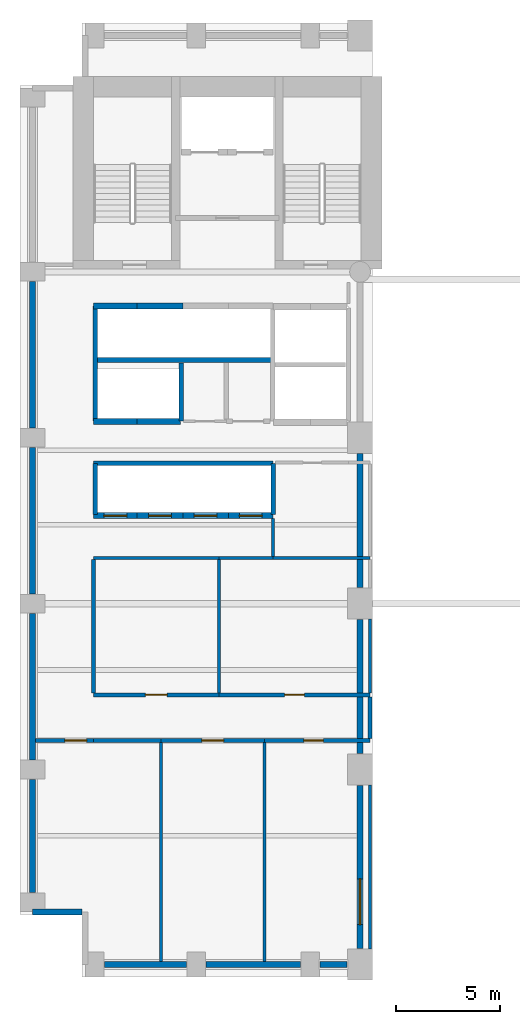
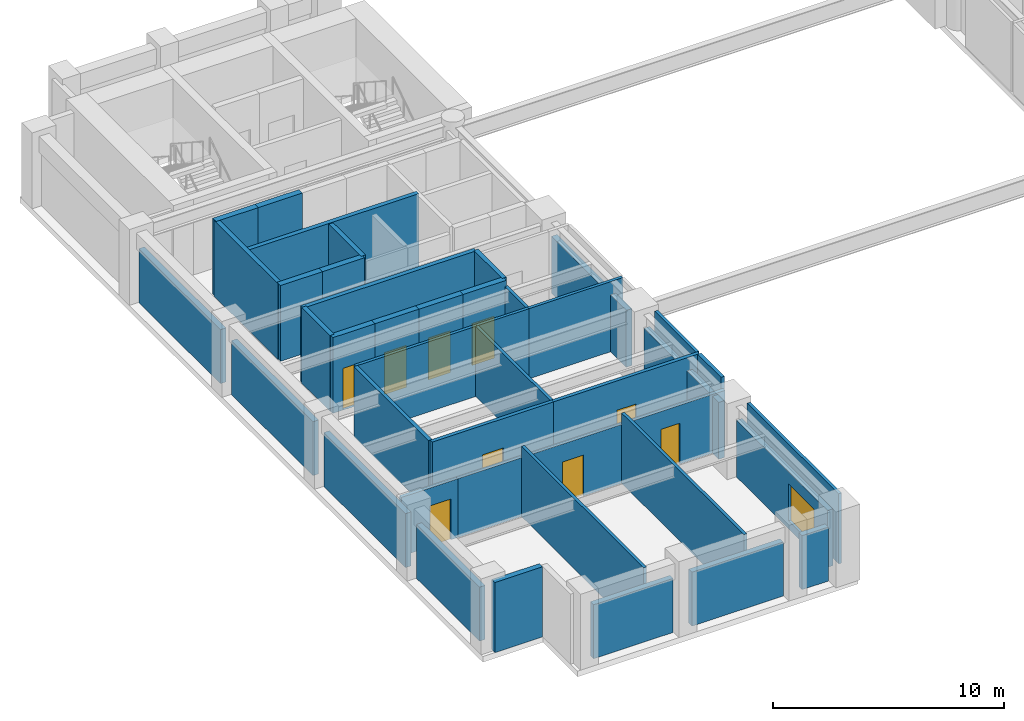
# One storey, part 2 of 7: 42 walls, 9 doors, 1 window, 10 openings.
"""IFC4 building model written with IfcOpenShell, lengths in metres."""

from ifc_helpers import new_model, si_unit, direction, frame, frame_2d, origin, place, context, subcontext, project, spatial, rectangle, extrude, material, layer, layer_set, type_object, element, fill, save


model = new_model("IFC4")

# Units and contexts
model_context = context("Model", 3, precision=1e-05, world=origin(), true_north=direction((0.0, 1.0)))
body_context = subcontext(model_context, "Body", "Model", "MODEL_VIEW")
ifc_project = project(units=[si_unit("LENGTHUNIT", "METRE"), si_unit("AREAUNIT", "SQUARE_METRE"), si_unit("VOLUMEUNIT", "CUBIC_METRE"), si_unit("PLANEANGLEUNIT", "RADIAN"), si_unit("MASSUNIT", "GRAM", prefix="KILO")], contexts=[model_context])

# Site, building, storey
site_placement = place(None, origin())
site = spatial("IfcSite", under=ifc_project, at=site_placement, CompositionType="ELEMENT")
building_placement = place(site_placement, origin())
building = spatial("IfcBuilding", under=site, at=building_placement, Name="Sulina Concourse Tower", CompositionType="ELEMENT")
storey_placement = place(building_placement, frame((0.0, 0.0, 34.60009765625)))
storey = spatial("IfcBuildingStorey", under=building, at=storey_placement, Name="L08", CompositionType="ELEMENT", Elevation=34.60009765625)

# Walls
ifc_material_1 = material(Name="Concrete C50/60", Category="concrete")
ifc_layer_1 = layer(ifc_material_1, 0.219970703125)
ifc_layer_set_1 = layer_set([ifc_layer_1], Name="Concrete C50/60")
wall_type_1 = type_object("IfcWallType", Name="Core Lift Hoistway Divider Wall 220mm", PredefinedType="SOLIDWALL", material=ifc_layer_set_1)
wall_1_placement = place(storey_placement, frame((3.550048828125, 29.75, 0.0), z_axis=(0.0, 0.0, 1.0), x_axis=(1.0, 0.0, 0.0)))
element("IfcWall", 1, at=wall_1_placement, inside=storey, type_object=wall_type_1, Name="L08 shaft divider wall HW-LP3-S", PredefinedType="SOLIDWALL", context=body_context, shape_type="SweptSolid", body=[
    extrude(rectangle(XDim=8.64990234375, YDim=0.219970703125, at=frame_2d((4.324951171875, 0.0))), origin(), (0.0, 0.0, 1.0), 4.0),
])
wall_2_placement = place(storey_placement, frame((3.6298828125, 26.800048828125, 0.0), z_axis=(0.0, 0.0, 1.0), x_axis=(0.0, 1.0, 0.0)))
element("IfcWall", 2, at=wall_2_placement, inside=storey, type_object=wall_type_1, Name="L08 shaft divider wall HW-LP3-W", PredefinedType="SOLIDWALL", context=body_context, shape_type="SweptSolid", body=[
    extrude(rectangle(XDim=5.550048828125, YDim=0.219970703125, at=frame_2d((2.77490234375, 0.0))), origin(), (0.0, 0.0, 1.0), 4.0),
])
wall_3_placement = place(storey_placement, frame((7.780029296875, 26.800048828125, 0.0), z_axis=(0.0, 0.0, 1.0), x_axis=(0.0, 1.0, 0.0)))
element("IfcWall", 3, at=wall_3_placement, inside=storey, type_object=wall_type_1, Name="L08 shaft divider wall HW-EXP-E", PredefinedType="SOLIDWALL", context=body_context, shape_type="SweptSolid", body=[
    extrude(rectangle(XDim=2.800048828125, YDim=0.219970703125, at=frame_2d((1.39990234375, 0.0))), origin(), (0.0, 0.0, 1.0), 4.0),
])
wall_4_placement = place(storey_placement, frame((3.550048828125, 24.780029296875, 0.0), z_axis=(0.0, 0.0, 1.0), x_axis=(1.0, 0.0, 0.0)))
element("IfcWall", 4, at=wall_4_placement, inside=storey, type_object=wall_type_1, Name="L08 shaft divider wall HW-LP1-N", PredefinedType="SOLIDWALL", context=body_context, shape_type="SweptSolid", body=[
    extrude(rectangle(XDim=8.64990234375, YDim=0.219970703125, at=frame_2d((4.324951171875, 0.0))), origin(), (0.0, 0.0, 1.0), 4.0),
])
for number, where, z_axis, x_axis, name in (
    (5, (3.6298828125, 22.300048828125, 0.0), (0.0, 0.0, 1.0), (0.0, 1.0, 0.0), "L08 shaft divider wall HW-LP1-W"),
    (6, (12.219970703125, 22.300048828125, 0.0), (0.0, 0.0, 1.0), (0.0, 1.0, 0.0), "L08 shaft divider wall HW-LP1-E"),
):
    element("IfcWall", number, at=place(storey_placement, frame(where, z_axis=z_axis, x_axis=x_axis)), inside=storey, type_object=wall_type_1, Name=name, PredefinedType="SOLIDWALL", context=body_context, shape_type="SweptSolid", body=[
        extrude(rectangle(XDim=2.449951171875, YDim=0.219970703125, at=frame_2d((1.22509765625, 0.0))), origin(), (0.0, 0.0, 1.0), 4.0),
    ])

# Wall, opening, door
ifc_material_2 = material(Name="Concrete C50/60", Category="concrete")
ifc_layer_2 = layer(ifc_material_2, 0.300048828125)
ifc_layer_set_2 = layer_set([ifc_layer_2], Name="Concrete C50/60")
wall_type_2 = type_object("IfcWallType", Name="Core Lift Hoistway Wall 300mm", PredefinedType="SOLIDWALL", material=ifc_layer_set_2)
wall_5_placement = place(storey_placement, frame((5.64990234375, 22.25, 0.0), z_axis=(0.0, 0.0, 1.0), x_axis=(-1.0, 0.0, 0.0)))
wall_5 = element("IfcWall", 7, at=wall_5_placement, inside=storey, type_object=wall_type_2, Name="L08 hoistway enclosure wall LP-01", PredefinedType="SOLIDWALL", context=body_context, shape_type="SweptSolid", body=[
    extrude(rectangle(XDim=2.099853515625, YDim=0.300048828125, at=frame_2d((1.0498046875, 0.0))), origin(), (0.0, 0.0, 1.0), 4.0),
])
opening_1_placement = place(wall_5_placement, frame((0.5, 0.0, 0.0)))
opening_1 = element("IfcOpeningElement", 8, at=opening_1_placement, cuts=wall_5, Name="Opening LD-01", PredefinedType="OPENING", context=body_context, shape_type="SweptSolid", body=[
    extrude(rectangle(XDim=1.10009765625, YDim=2.199951171875, at=frame_2d((0.550048828125, 1.10009765625))), frame((0.0, 0.159912109375, 0.0), z_axis=(0.0, -1.0, 0.0), x_axis=(1.0, 0.0, 0.0)), (0.0, 0.0, 1.0), 0.320068359375),
])
ifc_material_3 = material(Name="Stainless steel lift landing door", Category="steel")
ifc_layer_3 = layer(ifc_material_3, 0.050048828125)
ifc_layer_set_3 = layer_set([ifc_layer_3], Name="Stainless steel lift landing door")
door_type_1 = type_object("IfcDoorType", Name="Passenger Lift Sliding Landing Door 1100x2200", OperationType="SLIDING_TO_LEFT", PredefinedType="DOOR", material=ifc_layer_set_3)
door_1_placement = place(opening_1_placement, origin())
door_1 = element("IfcDoor", 9, at=door_1_placement, inside=storey, type_object=door_type_1, Name="L08 lift landing sliding door LP-01", OperationType="SLIDING_TO_LEFT", OverallHeight=2.199951171875, OverallWidth=1.10009765625, PredefinedType="DOOR", context=body_context, shape_type="SweptSolid", body=[
    extrude(rectangle(XDim=1.10009765625, YDim=2.199951171875, at=frame_2d((0.550048828125, 1.10009765625))), frame((0.0, 0.02490234375, 0.0), z_axis=(0.0, -1.0, 0.0), x_axis=(1.0, 0.0, 0.0)), (0.0, 0.0, 1.0), 0.050048828125),
])
fill(opening_1, door_1)

wall_6_placement = place(storey_placement, frame((7.85009765625, 22.25, 0.0), z_axis=(0.0, 0.0, 1.0), x_axis=(-1.0, 0.0, 0.0)))
wall_6 = element("IfcWall", 10, at=wall_6_placement, inside=storey, type_object=wall_type_2, Name="L08 hoistway enclosure wall LP-02", PredefinedType="SOLIDWALL", context=body_context, shape_type="SweptSolid", body=[
    extrude(rectangle(XDim=2.2001953125, YDim=0.300048828125, at=frame_2d((1.10009765625, 0.0))), origin(), (0.0, 0.0, 1.0), 4.0),
])
opening_2_placement = place(wall_6_placement, frame((0.550048828125, 0.0, 0.0)))
opening_2 = element("IfcOpeningElement", 11, at=opening_2_placement, cuts=wall_6, Name="Opening LD-01", PredefinedType="OPENING", context=body_context, shape_type="SweptSolid", body=[
    extrude(rectangle(XDim=1.10009765625, YDim=2.199951171875, at=frame_2d((0.550048828125, 1.10009765625))), frame((0.0, 0.159912109375, 0.0), z_axis=(0.0, -1.0, 0.0), x_axis=(1.0, 0.0, 0.0)), (0.0, 0.0, 1.0), 0.320068359375),
])
door_2_placement = place(opening_2_placement, origin())
door_2 = element("IfcDoor", 12, at=door_2_placement, inside=storey, type_object=door_type_1, Name="L08 lift landing sliding door LP-02", OperationType="SLIDING_TO_RIGHT", OverallHeight=2.199951171875, OverallWidth=1.10009765625, PredefinedType="DOOR", context=body_context, shape_type="SweptSolid", body=[
    extrude(rectangle(XDim=1.10009765625, YDim=2.199951171875, at=frame_2d((0.550048828125, 1.10009765625))), frame((0.0, 0.02490234375, 0.0), z_axis=(0.0, -1.0, 0.0), x_axis=(1.0, 0.0, 0.0)), (0.0, 0.0, 1.0), 0.050048828125),
])
fill(opening_2, door_2)

wall_7_placement = place(storey_placement, frame((10.050048828125, 22.25, 0.0), z_axis=(0.0, 0.0, 1.0), x_axis=(-1.0, 0.0, 0.0)))
wall_7 = element("IfcWall", 13, at=wall_7_placement, inside=storey, type_object=wall_type_2, Name="L08 hoistway enclosure wall LP-03", PredefinedType="SOLIDWALL", context=body_context, shape_type="SweptSolid", body=[
    extrude(rectangle(XDim=2.199951171875, YDim=0.300048828125, at=frame_2d((1.10009765625, 0.0))), origin(), (0.0, 0.0, 1.0), 4.0),
])
opening_3_placement = place(wall_7_placement, frame((0.550048828125, 0.0, 0.0)))
opening_3 = element("IfcOpeningElement", 14, at=opening_3_placement, cuts=wall_7, Name="Opening LD-01", PredefinedType="OPENING", context=body_context, shape_type="SweptSolid", body=[
    extrude(rectangle(XDim=1.10009765625, YDim=2.199951171875, at=frame_2d((0.550048828125, 1.10009765625))), frame((0.0, 0.159912109375, 0.0), z_axis=(0.0, -1.0, 0.0), x_axis=(1.0, 0.0, 0.0)), (0.0, 0.0, 1.0), 0.320068359375),
])
door_3_placement = place(opening_3_placement, origin())
door_3 = element("IfcDoor", 15, at=door_3_placement, inside=storey, type_object=door_type_1, Name="L08 lift landing sliding door LP-03", OperationType="SLIDING_TO_LEFT", OverallHeight=2.199951171875, OverallWidth=1.10009765625, PredefinedType="DOOR", context=body_context, shape_type="SweptSolid", body=[
    extrude(rectangle(XDim=1.10009765625, YDim=2.199951171875, at=frame_2d((0.550048828125, 1.10009765625))), frame((0.0, 0.02490234375, 0.0), z_axis=(0.0, -1.0, 0.0), x_axis=(1.0, 0.0, 0.0)), (0.0, 0.0, 1.0), 0.050048828125),
])
fill(opening_3, door_3)

wall_8_placement = place(storey_placement, frame((12.199951171875, 22.25, 0.0), z_axis=(0.0, 0.0, 1.0), x_axis=(-1.0, 0.0, 0.0)))
wall_8 = element("IfcWall", 16, at=wall_8_placement, inside=storey, type_object=wall_type_2, Name="L08 hoistway enclosure wall LP-04", PredefinedType="SOLIDWALL", context=body_context, shape_type="SweptSolid", body=[
    extrude(rectangle(XDim=2.14990234375, YDim=0.300048828125, at=frame_2d((1.074951171875, 0.0))), origin(), (0.0, 0.0, 1.0), 4.0),
])
opening_4_placement = place(wall_8_placement, frame((0.52490234375, 0.0, 0.0)))
opening_4 = element("IfcOpeningElement", 17, at=opening_4_placement, cuts=wall_8, Name="Opening LD-01", PredefinedType="OPENING", context=body_context, shape_type="SweptSolid", body=[
    extrude(rectangle(XDim=1.10009765625, YDim=2.199951171875, at=frame_2d((0.550048828125, 1.10009765625))), frame((0.0, 0.159912109375, 0.0), z_axis=(0.0, -1.0, 0.0), x_axis=(1.0, 0.0, 0.0)), (0.0, 0.0, 1.0), 0.320068359375),
])
door_4_placement = place(opening_4_placement, origin())
door_4 = element("IfcDoor", 18, at=door_4_placement, inside=storey, type_object=door_type_1, Name="L08 lift landing sliding door LP-04", OperationType="SLIDING_TO_RIGHT", OverallHeight=2.199951171875, OverallWidth=1.10009765625, PredefinedType="DOOR", context=body_context, shape_type="SweptSolid", body=[
    extrude(rectangle(XDim=1.10009765625, YDim=2.199951171875, at=frame_2d((0.550048828125, 1.10009765625))), frame((0.0, 0.02490234375, 0.0), z_axis=(0.0, -1.0, 0.0), x_axis=(1.0, 0.0, 0.0)), (0.0, 0.0, 1.0), 0.050048828125),
])
fill(opening_4, door_4)

# Walls
wall_9_placement = place(storey_placement, frame((3.550048828125, 32.35009765625, 0.0), z_axis=(0.0, 0.0, 1.0), x_axis=(1.0, 0.0, 0.0)))
element("IfcWall", 19, at=wall_9_placement, inside=storey, type_object=wall_type_2, Name="L08 hoistway enclosure wall LP-09", PredefinedType="SOLIDWALL", context=body_context, shape_type="SweptSolid", body=[
    extrude(rectangle(XDim=2.099853515625, YDim=0.300048828125, at=frame_2d((1.0498046875, 0.0))), origin(), (0.0, 0.0, 1.0), 4.0),
])
wall_10_placement = place(storey_placement, frame((5.64990234375, 32.35009765625, 0.0), z_axis=(0.0, 0.0, 1.0), x_axis=(1.0, 0.0, 0.0)))
element("IfcWall", 20, at=wall_10_placement, inside=storey, type_object=wall_type_2, Name="L08 hoistway enclosure wall LP-10", PredefinedType="SOLIDWALL", context=body_context, shape_type="SweptSolid", body=[
    extrude(rectangle(XDim=2.2001953125, YDim=0.300048828125, at=frame_2d((1.10009765625, 0.0))), origin(), (0.0, 0.0, 1.0), 4.0),
])
wall_11_placement = place(storey_placement, frame((5.64990234375, 26.780029296875, 0.0), z_axis=(0.0, 0.0, 1.0), x_axis=(-1.0, 0.0, 0.0)))
element("IfcWall", 21, at=wall_11_placement, inside=storey, type_object=wall_type_2, Name="L08 hoistway enclosure wall EXP-1", PredefinedType="SOLIDWALL", context=body_context, shape_type="SweptSolid", body=[
    extrude(rectangle(XDim=2.099853515625, YDim=0.300048828125, at=frame_2d((1.0498046875, 0.0))), origin(), (0.0, 0.0, 1.0), 4.0),
])
wall_12_placement = place(storey_placement, frame((7.75, 26.780029296875, 0.0), z_axis=(0.0, 0.0, 1.0), x_axis=(-1.0, 0.0, 0.0)))
element("IfcWall", 22, at=wall_12_placement, inside=storey, type_object=wall_type_2, Name="L08 hoistway enclosure wall EXP-2", PredefinedType="SOLIDWALL", context=body_context, shape_type="SweptSolid", body=[
    extrude(rectangle(XDim=2.10009765625, YDim=0.300048828125, at=frame_2d((1.050048828125, 0.0))), origin(), (0.0, 0.0, 1.0), 4.0),
])
ifc_material_4 = material(Name="Gypsum board on steel stud", Category="steel")
ifc_layer_4 = layer(ifc_material_4, 0.14990234375)
ifc_layer_set_4 = layer_set([ifc_layer_4], Name="Gypsum board on steel stud")
wall_type_3 = type_object("IfcWallType", Name="Inter-Tenancy Acoustic Partition 150mm", PredefinedType="PARTITIONING", material=ifc_layer_set_4)
wall_13_placement = place(storey_placement, frame((3.550048828125, 20.199951171875, 0.0), z_axis=(0.0, 0.0, 1.0), x_axis=(1.0, 0.0, 0.0)))
element("IfcWall", 23, at=wall_13_placement, inside=storey, type_object=wall_type_3, Name="L08 interior partition 012", PredefinedType="PARTITIONING", context=body_context, shape_type="SweptSolid", body=[
    extrude(rectangle(XDim=6.050048828125, YDim=0.14990234375, at=frame_2d((3.02490234375, 0.0))), origin(), (0.0, 0.0, 1.0), 3.699951171875),
])
wall_14_placement = place(storey_placement, frame((9.60009765625, 20.199951171875, 0.0), z_axis=(0.0, 0.0, 1.0), x_axis=(1.0, 0.0, 0.0)))
element("IfcWall", 24, at=wall_14_placement, inside=storey, type_object=wall_type_3, Name="L08 interior partition 013", PredefinedType="PARTITIONING", context=body_context, shape_type="SweptSolid", body=[
    extrude(rectangle(XDim=2.599853515625, YDim=0.14990234375, at=frame_2d((1.2998046875, 0.0))), origin(), (0.0, 0.0, 1.0), 3.699951171875),
])
wall_15_placement = place(storey_placement, frame((12.199951171875, 20.199951171875, 0.0), z_axis=(0.0, 0.0, 1.0), x_axis=(1.0, 0.0, 0.0)))
element("IfcWall", 25, at=wall_15_placement, inside=storey, type_object=wall_type_3, Name="L08 interior partition 014", PredefinedType="PARTITIONING", context=body_context, shape_type="SweptSolid", body=[
    extrude(rectangle(XDim=4.679931640625, YDim=0.14990234375, at=frame_2d((2.33984375, 0.0))), origin(), (0.0, 0.0, 1.0), 3.699951171875),
])
wall_16_placement = place(storey_placement, frame((6.800048828125, 0.739990234375, 0.0), z_axis=(0.0, 0.0, 1.0), x_axis=(0.0, 1.0, 0.0)))
element("IfcWall", 26, at=wall_16_placement, inside=storey, type_object=wall_type_3, Name="L08 interior partition 030", PredefinedType="PARTITIONING", context=body_context, shape_type="SweptSolid", body=[
    extrude(rectangle(XDim=10.570068359375, YDim=0.14990234375, at=frame_2d((5.28515625, 0.0))), origin(), (0.0, 0.0, 1.0), 3.699951171875),
])
wall_17_placement = place(storey_placement, frame((9.60009765625, 13.68994140625, 0.0), z_axis=(0.0, 0.0, 1.0), x_axis=(0.0, 1.0, 0.0)))
element("IfcWall", 27, at=wall_17_placement, inside=storey, type_object=wall_type_3, Name="L08 interior partition 031", PredefinedType="PARTITIONING", context=body_context, shape_type="SweptSolid", body=[
    extrude(rectangle(XDim=6.43505859375, YDim=0.14990234375, at=frame_2d((3.217529296875, 0.0))), origin(), (0.0, 0.0, 1.0), 3.699951171875),
])
wall_18_placement = place(storey_placement, frame((11.800048828125, 0.739990234375, 0.0), z_axis=(0.0, 0.0, 1.0), x_axis=(0.0, 1.0, 0.0)))
element("IfcWall", 28, at=wall_18_placement, inside=storey, type_object=wall_type_3, Name="L08 interior partition 033", PredefinedType="PARTITIONING", context=body_context, shape_type="SweptSolid", body=[
    extrude(rectangle(XDim=10.570068359375, YDim=0.14990234375, at=frame_2d((5.28515625, 0.0))), origin(), (0.0, 0.0, 1.0), 3.699951171875),
])
wall_19_placement = place(storey_placement, frame((12.199951171875, 20.27490234375, 0.0), z_axis=(0.0, 0.0, 1.0), x_axis=(0.0, 1.0, 0.0)))
element("IfcWall", 29, at=wall_19_placement, inside=storey, type_object=wall_type_3, Name="L08 interior partition 034", PredefinedType="PARTITIONING", context=body_context, shape_type="SweptSolid", body=[
    extrude(rectangle(XDim=1.8251953125, YDim=0.14990234375, at=frame_2d((0.91259765625, 0.0))), origin(), (0.0, 0.0, 1.0), 3.699951171875),
])
wall_20_placement = place(storey_placement, frame((16.8798828125, 1.35009765625, 0.0), z_axis=(0.0, 0.0, 1.0), x_axis=(0.0, 1.0, 0.0)))
element("IfcWall", 30, at=wall_20_placement, inside=storey, type_object=wall_type_3, Name="L08 interior partition 036", PredefinedType="PARTITIONING", context=body_context, shape_type="SweptSolid", body=[
    extrude(rectangle(XDim=7.89990234375, YDim=0.14990234375, at=frame_2d((3.949951171875, 0.0))), origin(), (0.0, 0.0, 1.0), 3.699951171875),
])
wall_21_placement = place(storey_placement, frame((16.8798828125, 13.68994140625, 0.0), z_axis=(0.0, 0.0, 1.0), x_axis=(0.0, 1.0, 0.0)))
element("IfcWall", 31, at=wall_21_placement, inside=storey, type_object=wall_type_3, Name="L08 interior partition 038", PredefinedType="PARTITIONING", context=body_context, shape_type="SweptSolid", body=[
    extrude(rectangle(XDim=3.56005859375, YDim=0.14990234375, at=frame_2d((1.780029296875, 0.0))), origin(), (0.0, 0.0, 1.0), 3.699951171875),
])

# Wall, opening, door
ifc_material_5 = material(Name="Gypsum board on steel stud", Category="steel")
ifc_layer_5 = layer(ifc_material_5, 0.179931640625)
ifc_layer_set_5 = layer_set([ifc_layer_5], Name="Gypsum board on steel stud")
wall_type_4 = type_object("IfcWallType", Name="Protected Corridor & Riser Partition 180mm", PredefinedType="PARTITIONING", material=ifc_layer_set_5)
wall_22_placement = place(storey_placement, frame((0.739990234375, 11.39990234375, 0.0), z_axis=(0.0, 0.0, 1.0), x_axis=(1.0, 0.0, 0.0)))
wall_22 = element("IfcWall", 32, at=wall_22_placement, inside=storey, type_object=wall_type_4, Name="L08 interior partition 004", PredefinedType="PARTITIONING", context=body_context, shape_type="SweptSolid", body=[
    extrude(rectangle(XDim=2.81005859375, YDim=0.179931640625, at=frame_2d((1.405029296875, 0.0))), origin(), (0.0, 0.0, 1.0), 3.094970703125),
])
opening_5_placement = place(wall_22_placement, frame((1.419921875, 0.0, 0.0)))
opening_5 = element("IfcOpeningElement", 33, at=opening_5_placement, cuts=wall_22, Name="Opening DR-37", PredefinedType="OPENING", context=body_context, shape_type="SweptSolid", body=[
    extrude(rectangle(XDim=1.050048828125, YDim=2.14990234375, at=frame_2d((0.52490234375, 1.074951171875))), frame((0.0, 0.099853515625, 0.0), z_axis=(0.0, -1.0, 0.0), x_axis=(1.0, 0.0, 0.0)), (0.0, 0.0, 1.0), 0.199951171875),
])
ifc_material_6 = material(Name="Oak-veneered fire door leaf")
ifc_layer_6 = layer(ifc_material_6, 0.050048828125)
ifc_layer_set_6 = layer_set([ifc_layer_6], Name="Oak-veneered fire door leaf")
door_type_2 = type_object("IfcDoorType", Name="Tenant Suite Entrance Fire Door 1050x2150", OperationType="NOTDEFINED", PredefinedType="DOOR", material=ifc_layer_set_6)
door_5_placement = place(opening_5_placement, origin())
door_5 = element("IfcDoor", 34, at=door_5_placement, inside=storey, type_object=door_type_2, Name="L08 interior door L08-STD-W1", OperationType="SINGLE_SWING_RIGHT", OverallHeight=2.14990234375, OverallWidth=1.050048828125, PredefinedType="DOOR", context=body_context, shape_type="SweptSolid", body=[
    extrude(rectangle(XDim=1.050048828125, YDim=2.14990234375, at=frame_2d((0.52490234375, 1.074951171875))), frame((0.0, 0.02490234375, 0.0), z_axis=(0.0, -1.0, 0.0), x_axis=(1.0, 0.0, 0.0)), (0.0, 0.0, 1.0), 0.050048828125),
])
fill(opening_5, door_5)

# Wall
wall_23_placement = place(storey_placement, frame((3.550048828125, 11.39990234375, 0.0), z_axis=(0.0, 0.0, 1.0), x_axis=(1.0, 0.0, 0.0)))
element("IfcWall", 35, at=wall_23_placement, inside=storey, type_object=wall_type_4, Name="L08 interior partition 005", PredefinedType="PARTITIONING", context=body_context, shape_type="SweptSolid", body=[
    extrude(rectangle(XDim=3.25, YDim=0.179931640625, at=frame_2d((1.625, 0.0))), origin(), (0.0, 0.0, 1.0), 3.094970703125),
])

# Wall, opening, door
wall_24_placement = place(storey_placement, frame((6.800048828125, 11.39990234375, 0.0), z_axis=(0.0, 0.0, 1.0), x_axis=(1.0, 0.0, 0.0)))
wall_24 = element("IfcWall", 36, at=wall_24_placement, inside=storey, type_object=wall_type_4, Name="L08 interior partition 006", PredefinedType="PARTITIONING", context=body_context, shape_type="SweptSolid", body=[
    extrude(rectangle(XDim=5.0, YDim=0.179931640625, at=frame_2d((2.5, 0.0))), origin(), (0.0, 0.0, 1.0), 3.094970703125),
])
opening_6_placement = place(wall_24_placement, frame((1.97509765625, 0.0, 0.0)))
opening_6 = element("IfcOpeningElement", 37, at=opening_6_placement, cuts=wall_24, Name="Opening DR-37", PredefinedType="OPENING", context=body_context, shape_type="SweptSolid", body=[
    extrude(rectangle(XDim=1.050048828125, YDim=2.14990234375, at=frame_2d((0.52490234375, 1.074951171875))), frame((0.0, 0.099853515625, 0.0), z_axis=(0.0, -1.0, 0.0), x_axis=(1.0, 0.0, 0.0)), (0.0, 0.0, 1.0), 0.199951171875),
])
door_6_placement = place(opening_6_placement, origin())
door_6 = element("IfcDoor", 38, at=door_6_placement, inside=storey, type_object=door_type_2, Name="L08 interior door L08-CAF-W1", OperationType="SINGLE_SWING_LEFT", OverallHeight=2.14990234375, OverallWidth=1.050048828125, PredefinedType="DOOR", context=body_context, shape_type="SweptSolid", body=[
    extrude(rectangle(XDim=1.050048828125, YDim=2.14990234375, at=frame_2d((0.52490234375, 1.074951171875))), frame((0.0, 0.02490234375, 0.0), z_axis=(0.0, -1.0, 0.0), x_axis=(1.0, 0.0, 0.0)), (0.0, 0.0, 1.0), 0.050048828125),
])
fill(opening_6, door_6)

wall_25_placement = place(storey_placement, frame((11.800048828125, 11.39990234375, 0.0), z_axis=(0.0, 0.0, 1.0), x_axis=(1.0, 0.0, 0.0)))
wall_25 = element("IfcWall", 39, at=wall_25_placement, inside=storey, type_object=wall_type_4, Name="L08 interior partition 007", PredefinedType="PARTITIONING", context=body_context, shape_type="SweptSolid", body=[
    extrude(rectangle(XDim=5.079833984375, YDim=0.179931640625, at=frame_2d((2.5400390625, 0.0))), origin(), (0.0, 0.0, 1.0), 3.094970703125),
])
opening_7_placement = place(wall_25_placement, frame((1.885009765625, 0.0, 0.0)))
opening_7 = element("IfcOpeningElement", 40, at=opening_7_placement, cuts=wall_25, Name="Opening DR-19", PredefinedType="OPENING", context=body_context, shape_type="SweptSolid", body=[
    extrude(rectangle(XDim=0.949951171875, YDim=2.14990234375, at=frame_2d((0.47509765625, 1.074951171875))), frame((0.0, 0.099853515625, 0.0), z_axis=(0.0, -1.0, 0.0), x_axis=(1.0, 0.0, 0.0)), (0.0, 0.0, 1.0), 0.199951171875),
])
ifc_material_7 = material(Name="Oak-veneered acoustic timber leaf", Category="wood")
ifc_layer_7 = layer(ifc_material_7, 0.050048828125)
ifc_layer_set_7 = layer_set([ifc_layer_7], Name="Oak-veneered acoustic timber leaf")
door_type_3 = type_object("IfcDoorType", Name="Cellular Office & Meeting Door 950x2150", OperationType="NOTDEFINED", PredefinedType="DOOR", material=ifc_layer_set_7)
door_7_placement = place(opening_7_placement, origin())
door_7 = element("IfcDoor", 41, at=door_7_placement, inside=storey, type_object=door_type_3, Name="L08 interior door L08-SEM-W1", OperationType="SINGLE_SWING_RIGHT", OverallHeight=2.14990234375, OverallWidth=0.949951171875, PredefinedType="DOOR", context=body_context, shape_type="SweptSolid", body=[
    extrude(rectangle(XDim=0.949951171875, YDim=2.14990234375, at=frame_2d((0.47509765625, 1.074951171875))), frame((0.0, 0.02490234375, 0.0), z_axis=(0.0, -1.0, 0.0), x_axis=(1.0, 0.0, 0.0)), (0.0, 0.0, 1.0), 0.050048828125),
])
fill(opening_7, door_7)

wall_26_placement = place(storey_placement, frame((3.550048828125, 13.60009765625, 0.0), z_axis=(0.0, 0.0, 1.0), x_axis=(1.0, 0.0, 0.0)))
wall_26 = element("IfcWall", 42, at=wall_26_placement, inside=storey, type_object=wall_type_4, Name="L08 interior partition 008", PredefinedType="PARTITIONING", context=body_context, shape_type="SweptSolid", body=[
    extrude(rectangle(XDim=6.050048828125, YDim=0.179931640625, at=frame_2d((3.02490234375, 0.0))), origin(), (0.0, 0.0, 1.0), 3.699951171875),
])
opening_8_placement = place(wall_26_placement, frame((2.5, 0.0, 0.0)))
opening_8 = element("IfcOpeningElement", 43, at=opening_8_placement, cuts=wall_26, Name="Opening DR-37", PredefinedType="OPENING", context=body_context, shape_type="SweptSolid", body=[
    extrude(rectangle(XDim=1.050048828125, YDim=2.14990234375, at=frame_2d((0.52490234375, 1.074951171875))), frame((0.0, 0.099853515625, 0.0), z_axis=(0.0, -1.0, 0.0), x_axis=(1.0, 0.0, 0.0)), (0.0, 0.0, 1.0), 0.199951171875),
])
door_8_placement = place(opening_8_placement, origin())
door_8 = element("IfcDoor", 44, at=door_8_placement, inside=storey, type_object=door_type_2, Name="L08 interior door L08-PNT-W1", OperationType="SINGLE_SWING_LEFT", OverallHeight=2.14990234375, OverallWidth=1.050048828125, PredefinedType="DOOR", context=body_context, shape_type="SweptSolid", body=[
    extrude(rectangle(XDim=1.050048828125, YDim=2.14990234375, at=frame_2d((0.52490234375, 1.074951171875))), frame((0.0, 0.02490234375, 0.0), z_axis=(0.0, -1.0, 0.0), x_axis=(1.0, 0.0, 0.0)), (0.0, 0.0, 1.0), 0.050048828125),
])
fill(opening_8, door_8)

wall_27_placement = place(storey_placement, frame((9.60009765625, 13.60009765625, 0.0), z_axis=(0.0, 0.0, 1.0), x_axis=(1.0, 0.0, 0.0)))
wall_27 = element("IfcWall", 45, at=wall_27_placement, inside=storey, type_object=wall_type_4, Name="L08 interior partition 009", PredefinedType="PARTITIONING", context=body_context, shape_type="SweptSolid", body=[
    extrude(rectangle(XDim=7.27978515625, YDim=0.179931640625, at=frame_2d((3.639892578125, 0.0))), origin(), (0.0, 0.0, 1.0), 3.699951171875),
])
opening_9_placement = place(wall_27_placement, frame((3.1650390625, 0.0, 0.0)))
opening_9 = element("IfcOpeningElement", 46, at=opening_9_placement, cuts=wall_27, Name="Opening DR-19", PredefinedType="OPENING", context=body_context, shape_type="SweptSolid", body=[
    extrude(rectangle(XDim=0.949951171875, YDim=2.14990234375, at=frame_2d((0.47509765625, 1.074951171875))), frame((0.0, 0.099853515625, 0.0), z_axis=(0.0, -1.0, 0.0), x_axis=(1.0, 0.0, 0.0)), (0.0, 0.0, 1.0), 0.199951171875),
])
door_9_placement = place(opening_9_placement, origin())
door_9 = element("IfcDoor", 47, at=door_9_placement, inside=storey, type_object=door_type_3, Name="L08 interior door L08-OFF-W2", OperationType="SINGLE_SWING_RIGHT", OverallHeight=2.14990234375, OverallWidth=0.949951171875, PredefinedType="DOOR", context=body_context, shape_type="SweptSolid", body=[
    extrude(rectangle(XDim=0.949951171875, YDim=2.14990234375, at=frame_2d((0.47509765625, 1.074951171875))), frame((0.0, 0.02490234375, 0.0), z_axis=(0.0, -1.0, 0.0), x_axis=(1.0, 0.0, 0.0)), (0.0, 0.0, 1.0), 0.050048828125),
])
fill(opening_9, door_9)

# Walls
wall_28_placement = place(storey_placement, frame((3.550048828125, 13.68994140625, 0.0), z_axis=(0.0, 0.0, 1.0), x_axis=(0.0, 1.0, 0.0)))
element("IfcWall", 48, at=wall_28_placement, inside=storey, type_object=wall_type_4, Name="L08 interior partition 029", PredefinedType="PARTITIONING", context=body_context, shape_type="SweptSolid", body=[
    extrude(rectangle(XDim=6.43505859375, YDim=0.179931640625, at=frame_2d((3.217529296875, 0.0))), origin(), (0.0, 0.0, 1.0), 3.699951171875),
])
wall_29_placement = place(storey_placement, frame((16.8798828125, 11.489990234375, 0.0), z_axis=(0.0, 0.0, 1.0), x_axis=(0.0, 1.0, 0.0)))
element("IfcWall", 49, at=wall_29_placement, inside=storey, type_object=wall_type_4, Name="L08 interior partition 037", PredefinedType="PARTITIONING", context=body_context, shape_type="SweptSolid", body=[
    extrude(rectangle(XDim=2.02001953125, YDim=0.179931640625, at=frame_2d((1.010009765625, 0.0))), origin(), (0.0, 0.0, 1.0), 3.699951171875),
])
ifc_material_8 = material(Name="Precast concrete C50/60", Category="concrete")
ifc_layer_8 = layer(ifc_material_8, 0.280029296875)
ifc_layer_set_8 = layer_set([ifc_layer_8], Name="Precast concrete C50/60")
wall_type_5 = type_object("IfcWallType", Name="Typical Precast Masonry-Frame Facade Wall 280mm", PredefinedType="SOLIDWALL", material=ifc_layer_set_8)
wall_30_placement = place(storey_placement, frame((8.030029296875, 0.60009765625, 0.0), z_axis=(0.0, 0.0, 1.0), x_axis=(-1.0, 0.0, 0.0)))
element("IfcWall", 50, at=wall_30_placement, inside=storey, type_object=wall_type_5, Name="L08 exterior precast wall S1", PredefinedType="SOLIDWALL", context=body_context, shape_type="SweptSolid", body=[
    extrude(rectangle(XDim=3.9599609375, YDim=0.280029296875, at=frame_2d((1.97998046875, 0.0))), origin(), (0.0, 0.0, 1.0), 2.849853515625),
])
wall_31_placement = place(storey_placement, frame((13.530029296875, 0.60009765625, 0.0), z_axis=(0.0, 0.0, 1.0), x_axis=(-1.0, 0.0, 0.0)))
element("IfcWall", 51, at=wall_31_placement, inside=storey, type_object=wall_type_5, Name="L08 exterior precast wall S2", PredefinedType="SOLIDWALL", context=body_context, shape_type="SweptSolid", body=[
    extrude(rectangle(XDim=4.56005859375, YDim=0.280029296875, at=frame_2d((2.280029296875, 0.0))), origin(), (0.0, 0.0, 1.0), 2.849853515625),
])
wall_32_placement = place(storey_placement, frame((15.780029296875, 0.60009765625, 0.0), z_axis=(0.0, 0.0, 1.0), x_axis=(-1.0, 0.0, 0.0)))
element("IfcWall", 52, at=wall_32_placement, inside=storey, type_object=wall_type_5, Name="L08 exterior precast wall S3", PredefinedType="SOLIDWALL", context=body_context, shape_type="SweptSolid", body=[
    extrude(rectangle(XDim=1.31005859375, YDim=0.280029296875, at=frame_2d((0.655029296875, 0.0))), origin(), (0.0, 0.0, 1.0), 2.849853515625),
])
wall_33_placement = place(storey_placement, frame((0.60009765625, 4.070068359375, 0.0), z_axis=(0.0, 0.0, 1.0), x_axis=(0.0, 1.0, 0.0)))
element("IfcWall", 53, at=wall_33_placement, inside=storey, type_object=wall_type_5, Name="L08 exterior precast wall W1", PredefinedType="SOLIDWALL", context=body_context, shape_type="SweptSolid", body=[
    extrude(rectangle(XDim=5.4599609375, YDim=0.280029296875, at=frame_2d((2.72998046875, 0.0))), origin(), (0.0, 0.0, 1.0), 2.849853515625),
])
for number, where, z_axis, x_axis, name in (
    (54, (0.60009765625, 10.469970703125, 0.0), (0.0, 0.0, 1.0), (0.0, 1.0, 0.0), "L08 exterior precast wall W2"),
    (55, (0.60009765625, 18.469970703125, 0.0), (0.0, 0.0, 1.0), (0.0, 1.0, 0.0), "L08 exterior precast wall W3"),
    (56, (0.60009765625, 26.469970703125, 0.0), (0.0, 0.0, 1.0), (0.0, 1.0, 0.0), "L08 exterior precast wall W4"),
):
    element("IfcWall", number, at=place(storey_placement, frame(where, z_axis=z_axis, x_axis=x_axis)), inside=storey, type_object=wall_type_5, Name=name, PredefinedType="SOLIDWALL", context=body_context, shape_type="SweptSolid", body=[
        extrude(rectangle(XDim=7.06005859375, YDim=0.280029296875, at=frame_2d((3.530029296875, 0.0))), origin(), (0.0, 0.0, 1.0), 2.849853515625),
    ])
wall_34_placement = place(storey_placement, frame((2.985107421875, 3.1298828125, 0.0), z_axis=(0.0, 0.0, 1.0), x_axis=(-1.0, 0.0, 0.0)))
element("IfcWall", 57, at=wall_34_placement, inside=storey, type_object=wall_type_5, Name="L08 exterior precast wall CSW2", PredefinedType="SOLIDWALL", context=body_context, shape_type="SweptSolid", body=[
    extrude(rectangle(XDim=2.385009765625, YDim=0.280029296875, at=frame_2d((1.1923828125, 0.0))), origin(), (0.0, 0.0, 1.0), 3.699951171875),
])

# Wall, opening, window
wall_35_placement = place(storey_placement, frame((16.39990234375, 9.22998046875, 0.0), z_axis=(0.0, 0.0, 1.0), x_axis=(0.0, -1.0, 0.0)))
wall_35 = element("IfcWall", 58, at=wall_35_placement, inside=storey, type_object=wall_type_5, Name="L08 exterior precast wall PW1", PredefinedType="SOLIDWALL", context=body_context, shape_type="SweptSolid", body=[
    extrude(rectangle(XDim=7.85986328125, YDim=0.280029296875, at=frame_2d((3.929931640625, 0.0))), origin(), (0.0, 0.0, 1.0), 3.0),
])
opening_10_placement = place(wall_35_placement, frame((4.506591796875, 0.0, 0.419921875)))
opening_10 = element("IfcOpeningElement", 59, at=opening_10_placement, cuts=wall_35, Name="Opening WN-76", PredefinedType="OPENING", context=body_context, shape_type="SweptSolid", body=[
    extrude(rectangle(XDim=2.199951171875, YDim=1.949951171875, at=frame_2d((1.10009765625, 0.97509765625))), frame((0.0, 0.14990234375, 0.0), z_axis=(0.0, -1.0, 0.0), x_axis=(1.0, 0.0, 0.0)), (0.0, 0.0, 1.0), 0.300048828125),
])
ifc_material_9 = material(Name="Low-E solar double glazing in bronze aluminium", Category="aluminium")
window_type = type_object("IfcWindowType", Name="Recessed Spandrel Window 2200x1950", PartitioningType="DOUBLE_PANEL_VERTICAL", PredefinedType="WINDOW", material=ifc_material_9)
window_placement = place(opening_10_placement, origin())
window = element("IfcWindow", 60, at=window_placement, inside=storey, type_object=window_type, Name="L08 punched window PW1-1", OverallHeight=1.949951171875, OverallWidth=2.199951171875, PartitioningType="SINGLE_PANEL", PredefinedType="WINDOW", context=body_context, shape_type="SweptSolid", body=[
    extrude(rectangle(XDim=2.199951171875, YDim=1.949951171875, at=frame_2d((1.10009765625, 0.97509765625))), frame((0.0, 0.030029296875, 0.0), z_axis=(0.0, -1.0, 0.0), x_axis=(1.0, 0.0, 0.0)), (0.0, 0.0, 1.0), 0.06005859375),
])
fill(opening_10, window)

# Walls
for number, where, z_axis, x_axis, name in (
    (61, (16.39990234375, 17.22998046875, 0.0), (0.0, 0.0, 1.0), (0.0, -1.0, 0.0), "L08 exterior precast wall PW2"),
    (62, (16.39990234375, 25.22998046875, 0.0), (0.0, 0.0, 1.0), (0.0, -1.0, 0.0), "L08 exterior precast wall PW3"),
):
    element("IfcWall", number, at=place(storey_placement, frame(where, z_axis=z_axis, x_axis=x_axis)), inside=storey, type_object=wall_type_5, Name=name, PredefinedType="SOLIDWALL", context=body_context, shape_type="SweptSolid", body=[
        extrude(rectangle(XDim=6.4599609375, YDim=0.280029296875, at=frame_2d((3.22998046875, 0.0))), origin(), (0.0, 0.0, 1.0), 3.0),
    ])

save(model, "model.ifc")
